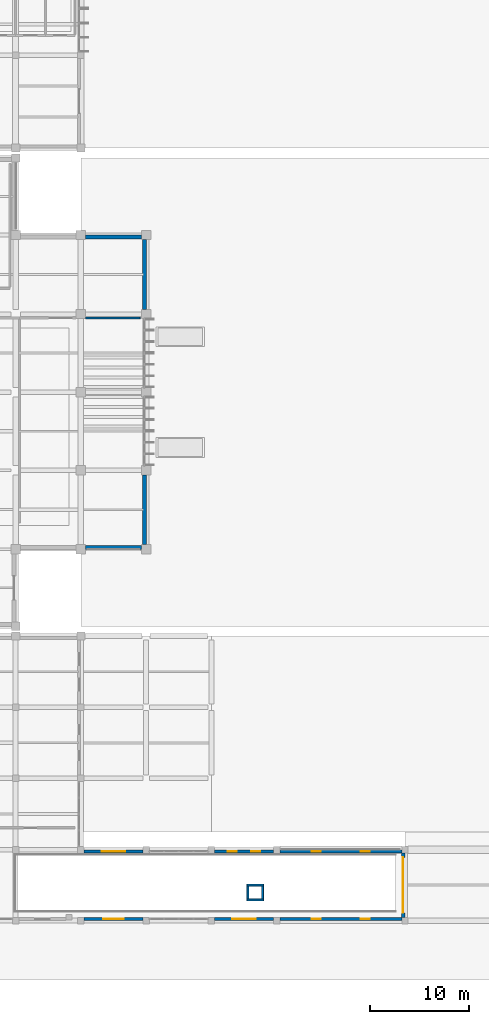
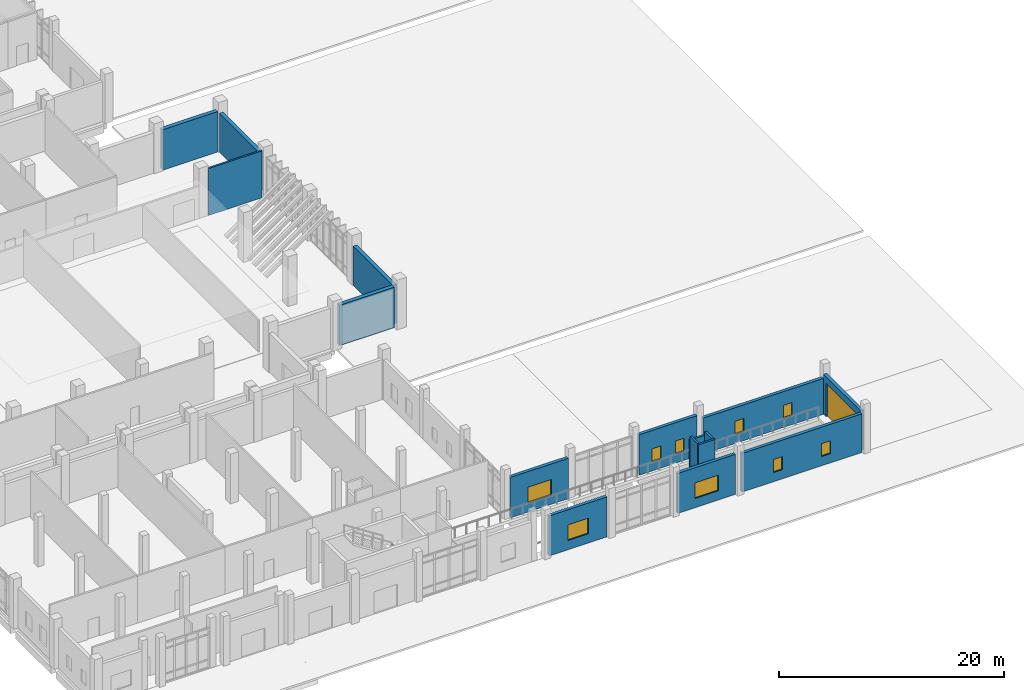
# One storey, part 61 of 79: 16 walls, 9 windows, 1 door, 10 openings.
"""IFC4 building model written with IfcOpenShell, lengths in metres."""

from ifc_helpers import new_model, si_unit, direction, frame, frame_2d, origin, place, context, subcontext, project, spatial, rectangle, extrude, material, layer, layer_set, type_object, element, fill, save


model = new_model("IFC4")

# Units and contexts
model_context = context("Model", 3, precision=1e-05, world=origin(), true_north=direction((0.0, 1.0)))
body_context = subcontext(model_context, "Body", "Model", "MODEL_VIEW")
ifc_project = project(units=[si_unit("LENGTHUNIT", "METRE"), si_unit("AREAUNIT", "SQUARE_METRE"), si_unit("VOLUMEUNIT", "CUBIC_METRE"), si_unit("PLANEANGLEUNIT", "RADIAN"), si_unit("MASSUNIT", "GRAM", prefix="KILO")], contexts=[model_context])

# Site, building, storey
site_placement = place(None, origin())
site = spatial("IfcSite", under=ifc_project, at=site_placement, CompositionType="ELEMENT")
building_placement = place(site_placement, origin())
building = spatial("IfcBuilding", under=site, at=building_placement, Name="Kelarvand Opera House", CompositionType="ELEMENT")
storey_placement = place(building_placement, origin())
storey = spatial("IfcBuildingStorey", under=building, at=storey_placement, Name="L00", CompositionType="ELEMENT", Elevation=0.0)

# Walls
ifc_material_1 = material(Name="Concrete C35/45", Category="concrete")
ifc_layer_1 = layer(ifc_material_1, 0.39990234375, Name="Concrete C35/45", Category="concrete")
ifc_layer_set_1 = layer_set([ifc_layer_1], Name="Concrete C35/45")
wall_type_1 = type_object("IfcWallType", Name="Acoustic Brick-Travertine Double Wall 400", PredefinedType="SOLIDWALL", material=ifc_layer_set_1)
wall_1_placement = place(storey_placement, frame((135.675048828125, 78.219970703125, 0.0), z_axis=(0.0, 0.0, 1.0), x_axis=(1.0, 0.0, 0.0)))
element("IfcWall", 1, at=wall_1_placement, inside=storey, type_object=wall_type_1, Name="V1 L00 Exterior Wall EW-400 (77)", PredefinedType="SOLIDWALL", context=body_context, shape_type="SweptSolid", body=[
    extrude(rectangle(XDim=5.64990234375, YDim=0.39990234375, at=frame_2d((2.824951171875, 0.0))), origin(), (0.0, 0.0, 1.0), 4.39208984375),
])
for number, where, z_axis, x_axis, name in (
    (2, (141.6201171875, 77.925048828125, 0.0), (0.0, 0.0, 1.0), (0.0, -1.0, 0.0), "V1 L00 Exterior Wall EW-400 (78)"),
    (3, (141.6201171875, 54.125, 0.0), (0.0, 0.0, 1.0), (0.0, -1.0, 0.0), "V1 L00 Exterior Wall EW-400 (79)"),
):
    element("IfcWall", number, at=place(storey_placement, frame(where, z_axis=z_axis, x_axis=x_axis)), inside=storey, type_object=wall_type_1, Name=name, PredefinedType="SOLIDWALL", context=body_context, shape_type="SweptSolid", body=[
        extrude(rectangle(XDim=7.050048828125, YDim=0.39990234375, at=frame_2d((3.52490234375, 0.0))), origin(), (0.0, 0.0, 1.0), 4.241943359375),
    ])
wall_2_placement = place(storey_placement, frame((141.324951171875, 46.780029296875, 0.0), z_axis=(0.0, 0.0, 1.0), x_axis=(-1.0, 0.0, 0.0)))
element("IfcWall", 4, at=wall_2_placement, inside=storey, type_object=wall_type_1, Name="V1 L00 Exterior Wall EW-400 (80)", PredefinedType="SOLIDWALL", context=body_context, shape_type="SweptSolid", body=[
    extrude(rectangle(XDim=5.64990234375, YDim=0.39990234375, at=frame_2d((2.824951171875, 0.0))), origin(), (0.0, 0.0, 1.0), 4.39208984375),
])
ifc_layer_2 = layer(ifc_material_1, 0.179931640625, Name="Concrete C35/45", Category="concrete")
ifc_layer_set_2 = layer_set([ifc_layer_2], Name="Concrete C35/45")
wall_type_2 = type_object("IfcWallType", Name="Corridor Fire-Rated Partition Wall 180 EI90", PredefinedType="PARTITIONING", material=ifc_layer_set_2)
wall_3_placement = place(storey_placement, frame((135.675048828125, 70.0, 0.0), z_axis=(0.0, 0.0, 1.0), x_axis=(1.0, 0.0, 0.0)))
element("IfcWall", 5, at=wall_3_placement, inside=storey, type_object=wall_type_2, Name="V1 L00 Partition Wall IW-90 (249)", PredefinedType="PARTITIONING", context=body_context, shape_type="SweptSolid", body=[
    extrude(rectangle(XDim=5.52490234375, YDim=0.179931640625, at=frame_2d((2.762451171875, 0.0))), origin(), (0.0, 0.0, 1.0), 5.092041015625),
])

# Wall, opening, door
ifc_layer_3 = layer(ifc_material_1, 0.320068359375, Name="Concrete C35/45", Category="concrete")
ifc_layer_set_3 = layer_set([ifc_layer_3], Name="Concrete C35/45")
wall_type_3 = type_object("IfcWallType", Name="Insulated Buff Brick Cavity Wall 320", PredefinedType="SOLIDWALL", material=ifc_layer_set_3)
wall_4_placement = place(storey_placement, frame((167.820068359375, 15.875, 0.0), z_axis=(0.0, 0.0, 1.0), x_axis=(0.0, -1.0, 0.0)))
wall_4 = element("IfcWall", 6, at=wall_4_placement, inside=storey, type_object=wall_type_3, Name="V6 L00 Exterior Wall EW-320 (697)", PredefinedType="SOLIDWALL", context=body_context, shape_type="SweptSolid", body=[
    extrude(rectangle(XDim=6.550048828125, YDim=0.320068359375, at=frame_2d((3.27490234375, 0.0))), origin(), (0.0, 0.0, 1.0), 4.342041015625),
])
opening_1_placement = place(wall_4_placement, frame((0.47509765625, 0.0, 0.0)))
opening_1 = element("IfcOpeningElement", 7, at=opening_1_placement, cuts=wall_4, Name="Opening VG-01", PredefinedType="OPENING", context=body_context, shape_type="SweptSolid", body=[
    extrude(rectangle(XDim=5.60009765625, YDim=3.60009765625, at=frame_2d((2.800048828125, 1.800048828125))), frame((0.0, 0.169921875, 0.0), z_axis=(0.0, -1.0, 0.0), x_axis=(1.0, 0.0, 0.0)), (0.0, 0.0, 1.0), 0.340087890625),
])
ifc_material_2 = material(Name="Insulated acoustic steel shutter slats", Category="steel")
door_type = type_object("IfcDoorType", Name="Motorised Car Park Rolling Shutter Gate 5600x3600", OperationType="ROLLINGUP", PredefinedType="DOOR", material=ifc_material_2)
door_placement = place(opening_1_placement, origin())
door = element("IfcDoor", 8, at=door_placement, inside=storey, type_object=door_type, Name="Car Park Entry Rolling Shutter Gate VG-01", OperationType="ROLLINGUP", OverallHeight=3.60009765625, OverallWidth=5.60009765625, PredefinedType="DOOR", context=body_context, shape_type="SweptSolid", body=[
    extrude(rectangle(XDim=5.60009765625, YDim=3.60009765625, at=frame_2d((2.800048828125, 1.800048828125))), frame((0.0, 0.02490234375, 0.0), z_axis=(0.0, -1.0, 0.0), x_axis=(1.0, 0.0, 0.0)), (0.0, 0.0, 1.0), 0.050048828125),
])
fill(opening_1, door)

# Wall, openings, windows
wall_5_placement = place(storey_placement, frame((167.675048828125, 9.179931640625, 0.0), z_axis=(0.0, 0.0, 1.0), x_axis=(-1.0, 0.0, 0.0)))
wall_5 = element("IfcWall", 9, at=wall_5_placement, inside=storey, type_object=wall_type_3, Name="V6 L00 Exterior Wall EW-320 (698)", PredefinedType="SOLIDWALL", context=body_context, shape_type="SweptSolid", body=[
    extrude(rectangle(XDim=12.35009765625, YDim=0.320068359375, at=frame_2d((6.175048828125, 0.0))), origin(), (0.0, 0.0, 1.0), 4.19189453125),
])
opening_2_placement = place(wall_5_placement, frame((3.2548828125, 0.0, 1.0)))
opening_2 = element("IfcOpeningElement", 10, at=opening_2_placement, cuts=wall_5, Name="Opening WN-25", PredefinedType="OPENING", context=body_context, shape_type="SweptSolid", body=[
    extrude(rectangle(XDim=0.89990234375, YDim=1.39990234375, at=frame_2d((0.449951171875, 0.699951171875))), frame((0.0, 0.169921875, 0.0), z_axis=(0.0, -1.0, 0.0), x_axis=(1.0, 0.0, 0.0)), (0.0, 0.0, 1.0), 0.340087890625),
])
opening_3_placement = place(wall_5_placement, frame((8.195068359375, 0.0, 1.0)))
opening_3 = element("IfcOpeningElement", 11, at=opening_3_placement, cuts=wall_5, Name="Opening WN-25", PredefinedType="OPENING", context=body_context, shape_type="SweptSolid", body=[
    extrude(rectangle(XDim=0.89990234375, YDim=1.39990234375, at=frame_2d((0.449951171875, 0.699951171875))), frame((0.0, 0.169921875, 0.0), z_axis=(0.0, -1.0, 0.0), x_axis=(1.0, 0.0, 0.0)), (0.0, 0.0, 1.0), 0.340087890625),
])
ifc_material_3 = material(Name="Thermally broken aluminium and low-E double glazing", Category="aluminium")
window_type_1 = type_object("IfcWindowType", Name="Recessed Aluminium Thermal Window 900x1400 WN-25", PartitioningType="SINGLE_PANEL", PredefinedType="WINDOW", material=ifc_material_3)
window_1_placement = place(opening_2_placement, origin())
window_1 = element("IfcWindow", 12, at=window_1_placement, inside=storey, type_object=window_type_1, Name="V6 L00 Facade Window WN-25 (306)", OverallHeight=1.39990234375, OverallWidth=0.89990234375, PartitioningType="SINGLE_PANEL", PredefinedType="WINDOW", context=body_context, shape_type="SweptSolid", body=[
    extrude(rectangle(XDim=0.89990234375, YDim=1.39990234375, at=frame_2d((0.449951171875, 0.699951171875))), frame((0.0, 0.030029296875, 0.0), z_axis=(0.0, -1.0, 0.0), x_axis=(1.0, 0.0, 0.0)), (0.0, 0.0, 1.0), 0.06005859375),
])
fill(opening_2, window_1)
window_2_placement = place(opening_3_placement, origin())
window_2 = element("IfcWindow", 13, at=window_2_placement, inside=storey, type_object=window_type_1, Name="V6 L00 Facade Window WN-25 (307)", OverallHeight=1.39990234375, OverallWidth=0.89990234375, PartitioningType="SINGLE_PANEL", PredefinedType="WINDOW", context=body_context, shape_type="SweptSolid", body=[
    extrude(rectangle(XDim=0.89990234375, YDim=1.39990234375, at=frame_2d((0.449951171875, 0.699951171875))), frame((0.0, 0.030029296875, 0.0), z_axis=(0.0, -1.0, 0.0), x_axis=(1.0, 0.0, 0.0)), (0.0, 0.0, 1.0), 0.06005859375),
])
fill(opening_3, window_2)

# Wall, opening, window
wall_6_placement = place(storey_placement, frame((154.675048828125, 9.179931640625, 0.0), z_axis=(0.0, 0.0, 1.0), x_axis=(-1.0, 0.0, 0.0)))
wall_6 = element("IfcWall", 14, at=wall_6_placement, inside=storey, type_object=wall_type_3, Name="V6 L00 Exterior Wall EW-320 (699)", PredefinedType="SOLIDWALL", context=body_context, shape_type="SweptSolid", body=[
    extrude(rectangle(XDim=5.949951171875, YDim=0.320068359375, at=frame_2d((2.97509765625, 0.0))), origin(), (0.0, 0.0, 1.0), 4.342041015625),
])
opening_4_placement = place(wall_6_placement, frame((1.77490234375, 0.0, 1.0)))
opening_4 = element("IfcOpeningElement", 15, at=opening_4_placement, cuts=wall_6, Name="Opening WN-20", PredefinedType="OPENING", context=body_context, shape_type="SweptSolid", body=[
    extrude(rectangle(XDim=2.39990234375, YDim=1.699951171875, at=frame_2d((1.199951171875, 0.85009765625))), frame((0.0, 0.169921875, 0.0), z_axis=(0.0, -1.0, 0.0), x_axis=(1.0, 0.0, 0.0)), (0.0, 0.0, 1.0), 0.340087890625),
])
window_type_2 = type_object("IfcWindowType", Name="Recessed Aluminium Thermal Window 2400x1700 WN-20", PartitioningType="SINGLE_PANEL", PredefinedType="WINDOW", material=ifc_material_3)
window_3_placement = place(opening_4_placement, origin())
window_3 = element("IfcWindow", 16, at=window_3_placement, inside=storey, type_object=window_type_2, Name="V6 L00 Facade Window WN-20 (308)", OverallHeight=1.699951171875, OverallWidth=2.39990234375, PartitioningType="SINGLE_PANEL", PredefinedType="WINDOW", context=body_context, shape_type="SweptSolid", body=[
    extrude(rectangle(XDim=2.39990234375, YDim=1.699951171875, at=frame_2d((1.199951171875, 0.85009765625))), frame((0.0, 0.030029296875, 0.0), z_axis=(0.0, -1.0, 0.0), x_axis=(1.0, 0.0, 0.0)), (0.0, 0.0, 1.0), 0.06005859375),
])
fill(opening_4, window_3)

wall_7_placement = place(storey_placement, frame((141.47509765625, 9.179931640625, 0.0), z_axis=(0.0, 0.0, 1.0), x_axis=(-1.0, 0.0, 0.0)))
wall_7 = element("IfcWall", 17, at=wall_7_placement, inside=storey, type_object=wall_type_3, Name="V6 L00 Exterior Wall EW-320 (700)", PredefinedType="SOLIDWALL", context=body_context, shape_type="SweptSolid", body=[
    extrude(rectangle(XDim=5.9501953125, YDim=0.320068359375, at=frame_2d((2.97509765625, 0.0))), origin(), (0.0, 0.0, 1.0), 4.342041015625),
])
opening_5_placement = place(wall_7_placement, frame((1.925048828125, 0.0, 1.0)))
opening_5 = element("IfcOpeningElement", 18, at=opening_5_placement, cuts=wall_7, Name="Opening WN-19", PredefinedType="OPENING", context=body_context, shape_type="SweptSolid", body=[
    extrude(rectangle(XDim=2.10009765625, YDim=1.699951171875, at=frame_2d((1.050048828125, 0.85009765625))), frame((0.0, 0.169921875, 0.0), z_axis=(0.0, -1.0, 0.0), x_axis=(1.0, 0.0, 0.0)), (0.0, 0.0, 1.0), 0.340087890625),
])
window_type_3 = type_object("IfcWindowType", Name="Recessed Aluminium Thermal Window 2100x1700 WN-19", PartitioningType="SINGLE_PANEL", PredefinedType="WINDOW", material=ifc_material_3)
window_4_placement = place(opening_5_placement, origin())
window_4 = element("IfcWindow", 19, at=window_4_placement, inside=storey, type_object=window_type_3, Name="V6 L00 Facade Window WN-19 (309)", OverallHeight=1.699951171875, OverallWidth=2.10009765625, PartitioningType="SINGLE_PANEL", PredefinedType="WINDOW", context=body_context, shape_type="SweptSolid", body=[
    extrude(rectangle(XDim=2.10009765625, YDim=1.699951171875, at=frame_2d((1.050048828125, 0.85009765625))), frame((0.0, 0.030029296875, 0.0), z_axis=(0.0, -1.0, 0.0), x_axis=(1.0, 0.0, 0.0)), (0.0, 0.0, 1.0), 0.06005859375),
])
fill(opening_5, window_4)

wall_8_placement = place(storey_placement, frame((135.52490234375, 16.02001953125, 0.0), z_axis=(0.0, 0.0, 1.0), x_axis=(1.0, 0.0, 0.0)))
wall_8 = element("IfcWall", 20, at=wall_8_placement, inside=storey, type_object=wall_type_3, Name="V6 L00 Exterior Wall EW-320 (718)", PredefinedType="SOLIDWALL", context=body_context, shape_type="SweptSolid", body=[
    extrude(rectangle(XDim=5.9501953125, YDim=0.320068359375, at=frame_2d((2.97509765625, 0.0))), origin(), (0.0, 0.0, 1.0), 4.39208984375),
])
opening_6_placement = place(wall_8_placement, frame((1.77490234375, 0.0, 1.0)))
opening_6 = element("IfcOpeningElement", 21, at=opening_6_placement, cuts=wall_8, Name="Opening WN-20", PredefinedType="OPENING", context=body_context, shape_type="SweptSolid", body=[
    extrude(rectangle(XDim=2.39990234375, YDim=1.699951171875, at=frame_2d((1.199951171875, 0.85009765625))), frame((0.0, 0.169921875, 0.0), z_axis=(0.0, -1.0, 0.0), x_axis=(1.0, 0.0, 0.0)), (0.0, 0.0, 1.0), 0.340087890625),
])
window_5_placement = place(opening_6_placement, origin())
window_5 = element("IfcWindow", 22, at=window_5_placement, inside=storey, type_object=window_type_2, Name="V6 L00 Facade Window WN-20 (322)", OverallHeight=1.699951171875, OverallWidth=2.39990234375, PartitioningType="SINGLE_PANEL", PredefinedType="WINDOW", context=body_context, shape_type="SweptSolid", body=[
    extrude(rectangle(XDim=2.39990234375, YDim=1.699951171875, at=frame_2d((1.199951171875, 0.85009765625))), frame((0.0, 0.030029296875, 0.0), z_axis=(0.0, -1.0, 0.0), x_axis=(1.0, 0.0, 0.0)), (0.0, 0.0, 1.0), 0.06005859375),
])
fill(opening_6, window_5)

# Wall, openings, windows
wall_9_placement = place(storey_placement, frame((148.72509765625, 16.02001953125, 0.0), z_axis=(0.0, 0.0, 1.0), x_axis=(1.0, 0.0, 0.0)))
wall_9 = element("IfcWall", 23, at=wall_9_placement, inside=storey, type_object=wall_type_3, Name="V6 L00 Exterior Wall EW-320 (719)", PredefinedType="SOLIDWALL", context=body_context, shape_type="SweptSolid", body=[
    extrude(rectangle(XDim=5.949951171875, YDim=0.320068359375, at=frame_2d((2.97509765625, 0.0))), origin(), (0.0, 0.0, 1.0), 4.39208984375),
])
opening_7_placement = place(wall_9_placement, frame((1.3349609375, 0.0, 1.0)))
opening_7 = element("IfcOpeningElement", 24, at=opening_7_placement, cuts=wall_9, Name="Opening WN-25", PredefinedType="OPENING", context=body_context, shape_type="SweptSolid", body=[
    extrude(rectangle(XDim=0.89990234375, YDim=1.39990234375, at=frame_2d((0.449951171875, 0.699951171875))), frame((0.0, 0.169921875, 0.0), z_axis=(0.0, -1.0, 0.0), x_axis=(1.0, 0.0, 0.0)), (0.0, 0.0, 1.0), 0.340087890625),
])
opening_8_placement = place(wall_9_placement, frame((3.715087890625, 0.0, 1.0)))
opening_8 = element("IfcOpeningElement", 25, at=opening_8_placement, cuts=wall_9, Name="Opening WN-25", PredefinedType="OPENING", context=body_context, shape_type="SweptSolid", body=[
    extrude(rectangle(XDim=0.89990234375, YDim=1.39990234375, at=frame_2d((0.449951171875, 0.699951171875))), frame((0.0, 0.169921875, 0.0), z_axis=(0.0, -1.0, 0.0), x_axis=(1.0, 0.0, 0.0)), (0.0, 0.0, 1.0), 0.340087890625),
])
window_6_placement = place(opening_7_placement, origin())
window_6 = element("IfcWindow", 26, at=window_6_placement, inside=storey, type_object=window_type_1, Name="V6 L00 Facade Window WN-25 (323)", OverallHeight=1.39990234375, OverallWidth=0.89990234375, PartitioningType="SINGLE_PANEL", PredefinedType="WINDOW", context=body_context, shape_type="SweptSolid", body=[
    extrude(rectangle(XDim=0.89990234375, YDim=1.39990234375, at=frame_2d((0.449951171875, 0.699951171875))), frame((0.0, 0.030029296875, 0.0), z_axis=(0.0, -1.0, 0.0), x_axis=(1.0, 0.0, 0.0)), (0.0, 0.0, 1.0), 0.06005859375),
])
fill(opening_7, window_6)
window_7_placement = place(opening_8_placement, origin())
window_7 = element("IfcWindow", 27, at=window_7_placement, inside=storey, type_object=window_type_1, Name="V6 L00 Facade Window WN-25 (324)", OverallHeight=1.39990234375, OverallWidth=0.89990234375, PartitioningType="SINGLE_PANEL", PredefinedType="WINDOW", context=body_context, shape_type="SweptSolid", body=[
    extrude(rectangle(XDim=0.89990234375, YDim=1.39990234375, at=frame_2d((0.449951171875, 0.699951171875))), frame((0.0, 0.030029296875, 0.0), z_axis=(0.0, -1.0, 0.0), x_axis=(1.0, 0.0, 0.0)), (0.0, 0.0, 1.0), 0.06005859375),
])
fill(opening_8, window_7)

wall_10_placement = place(storey_placement, frame((155.324951171875, 16.02001953125, 0.0), z_axis=(0.0, 0.0, 1.0), x_axis=(1.0, 0.0, 0.0)))
wall_10 = element("IfcWall", 28, at=wall_10_placement, inside=storey, type_object=wall_type_3, Name="V6 L00 Exterior Wall EW-320 (720)", PredefinedType="SOLIDWALL", context=body_context, shape_type="SweptSolid", body=[
    extrude(rectangle(XDim=12.35009765625, YDim=0.320068359375, at=frame_2d((6.175048828125, 0.0))), origin(), (0.0, 0.0, 1.0), 3.89208984375),
])
opening_9_placement = place(wall_10_placement, frame((3.2548828125, 0.0, 1.0)))
opening_9 = element("IfcOpeningElement", 29, at=opening_9_placement, cuts=wall_10, Name="Opening WN-25", PredefinedType="OPENING", context=body_context, shape_type="SweptSolid", body=[
    extrude(rectangle(XDim=0.89990234375, YDim=1.39990234375, at=frame_2d((0.449951171875, 0.699951171875))), frame((0.0, 0.169921875, 0.0), z_axis=(0.0, -1.0, 0.0), x_axis=(1.0, 0.0, 0.0)), (0.0, 0.0, 1.0), 0.340087890625),
])
opening_10_placement = place(wall_10_placement, frame((8.195068359375, 0.0, 1.0)))
opening_10 = element("IfcOpeningElement", 30, at=opening_10_placement, cuts=wall_10, Name="Opening WN-25", PredefinedType="OPENING", context=body_context, shape_type="SweptSolid", body=[
    extrude(rectangle(XDim=0.89990234375, YDim=1.39990234375, at=frame_2d((0.449951171875, 0.699951171875))), frame((0.0, 0.169921875, 0.0), z_axis=(0.0, -1.0, 0.0), x_axis=(1.0, 0.0, 0.0)), (0.0, 0.0, 1.0), 0.340087890625),
])
window_8_placement = place(opening_9_placement, origin())
window_8 = element("IfcWindow", 31, at=window_8_placement, inside=storey, type_object=window_type_1, Name="V6 L00 Facade Window WN-25 (325)", OverallHeight=1.39990234375, OverallWidth=0.89990234375, PartitioningType="SINGLE_PANEL", PredefinedType="WINDOW", context=body_context, shape_type="SweptSolid", body=[
    extrude(rectangle(XDim=0.89990234375, YDim=1.39990234375, at=frame_2d((0.449951171875, 0.699951171875))), frame((0.0, 0.030029296875, 0.0), z_axis=(0.0, -1.0, 0.0), x_axis=(1.0, 0.0, 0.0)), (0.0, 0.0, 1.0), 0.06005859375),
])
fill(opening_9, window_8)
window_9_placement = place(opening_10_placement, origin())
window_9 = element("IfcWindow", 32, at=window_9_placement, inside=storey, type_object=window_type_1, Name="V6 L00 Facade Window WN-25 (326)", OverallHeight=1.39990234375, OverallWidth=0.89990234375, PartitioningType="SINGLE_PANEL", PredefinedType="WINDOW", context=body_context, shape_type="SweptSolid", body=[
    extrude(rectangle(XDim=0.89990234375, YDim=1.39990234375, at=frame_2d((0.449951171875, 0.699951171875))), frame((0.0, 0.030029296875, 0.0), z_axis=(0.0, -1.0, 0.0), x_axis=(1.0, 0.0, 0.0)), (0.0, 0.0, 1.0), 0.06005859375),
])
fill(opening_10, window_9)

# Walls
ifc_layer_4 = layer(ifc_material_1, 0.199951171875, Name="Concrete C35/45", Category="concrete")
ifc_layer_set_4 = layer_set([ifc_layer_4], Name="Concrete C35/45")
wall_type_4 = type_object("IfcWallType", Name="Lift and Riser Shaft Enclosure Wall 200 EI120", PredefinedType="PARTITIONING", material=ifc_layer_set_4)
wall_11_placement = place(storey_placement, frame((152.0, 11.10009765625, 0.0), z_axis=(0.0, 0.0, 1.0), x_axis=(1.0, 0.0, 0.0)))
element("IfcWall", 33, at=wall_11_placement, inside=storey, type_object=wall_type_4, Name="RSR-V6B L00 Riser Shaft Wall 93", PredefinedType="PARTITIONING", context=body_context, shape_type="SweptSolid", body=[
    extrude(rectangle(XDim=1.699951171875, YDim=0.199951171875, at=frame_2d((0.85009765625, 0.0))), origin(), (0.0, 0.0, 1.0), 5.10009765625),
])
wall_12_placement = place(storey_placement, frame((153.699951171875, 12.60009765625, 0.0), z_axis=(0.0, 0.0, 1.0), x_axis=(-1.0, 0.0, 0.0)))
element("IfcWall", 34, at=wall_12_placement, inside=storey, type_object=wall_type_4, Name="RSR-V6B L00 Riser Shaft Wall 94", PredefinedType="PARTITIONING", context=body_context, shape_type="SweptSolid", body=[
    extrude(rectangle(XDim=1.699951171875, YDim=0.199951171875, at=frame_2d((0.85009765625, 0.0))), origin(), (0.0, 0.0, 1.0), 4.69189453125),
])
for number, where, z_axis, x_axis, name in (
    (35, (152.10009765625, 11.199951171875, 0.0), (0.0, 0.0, 1.0), (0.0, 1.0, 0.0), "RSR-V6B L00 Riser Shaft Wall 95"),
    (36, (153.60009765625, 12.5, 0.0), (0.0, 0.0, 1.0), (0.0, -1.0, 0.0), "RSR-V6B L00 Riser Shaft Wall 96"),
):
    element("IfcWall", number, at=place(storey_placement, frame(where, z_axis=z_axis, x_axis=x_axis)), inside=storey, type_object=wall_type_4, Name=name, PredefinedType="PARTITIONING", context=body_context, shape_type="SweptSolid", body=[
        extrude(rectangle(XDim=1.300048828125, YDim=0.199951171875, at=frame_2d((0.64990234375, 0.0))), origin(), (0.0, 0.0, 1.0), 5.10009765625),
    ])

save(model, "model.ifc")
